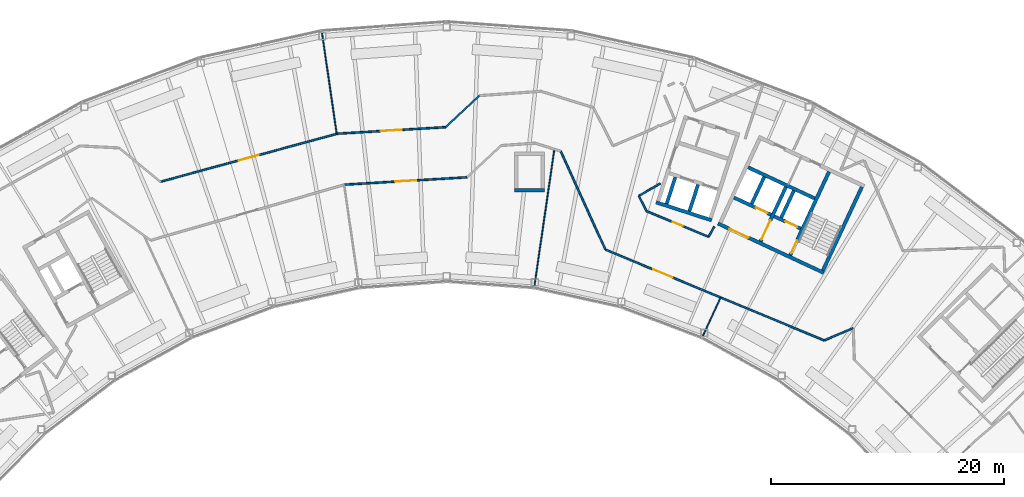
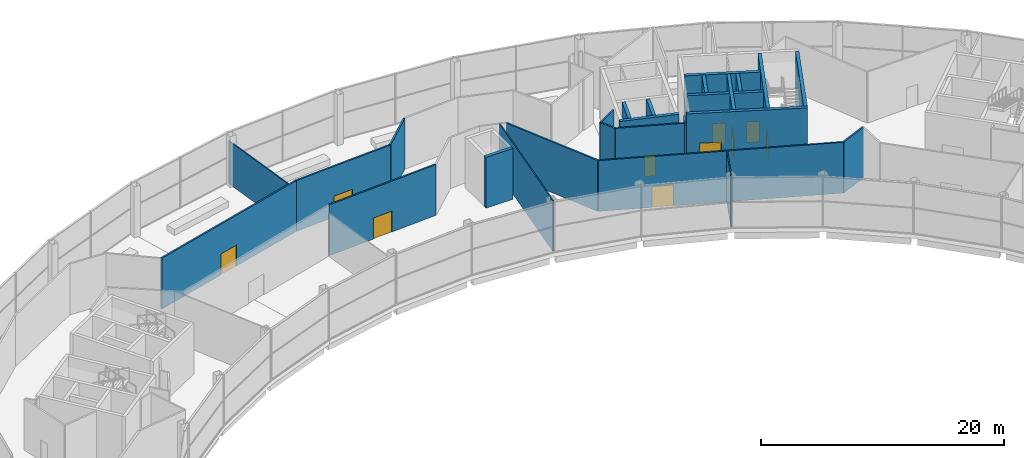
# One storey, part 37 of 43: 27 walls, 10 doors, 10 openings.
"""IFC4 building model written with IfcOpenShell, lengths in metres."""

from ifc_helpers import new_model, si_unit, direction, frame, frame_2d, origin, place, context, subcontext, project, spatial, rectangle, extrude, material, layer, layer_set, type_object, element, fill, save


model = new_model("IFC4")

# Units and contexts
model_context = context("Model", 3, precision=1e-05, world=origin(), true_north=direction((0.0, 1.0)))
body_context = subcontext(model_context, "Body", "Model", "MODEL_VIEW")
ifc_project = project(units=[si_unit("LENGTHUNIT", "METRE"), si_unit("AREAUNIT", "SQUARE_METRE"), si_unit("VOLUMEUNIT", "CUBIC_METRE"), si_unit("PLANEANGLEUNIT", "RADIAN"), si_unit("MASSUNIT", "GRAM", prefix="KILO")], contexts=[model_context])

# Site, building, storey
site_placement = place(None, origin())
site = spatial("IfcSite", under=ifc_project, at=site_placement, CompositionType="ELEMENT")
building_placement = place(site_placement, origin())
building = spatial("IfcBuilding", under=site, at=building_placement, Name="Tuul Gate Civic Tower", CompositionType="ELEMENT")
storey_placement = place(building_placement, frame((0.0, 0.0, 349.10009765625)))
storey = spatial("IfcBuildingStorey", under=building, at=storey_placement, Name="Observation level 1", CompositionType="ELEMENT", Elevation=349.10009765625)

# Wall, opening, door
ifc_material_1 = material(Name="Concrete C50/60", Category="concrete")
ifc_layer_1 = layer(ifc_material_1, 0.300048828125)
ifc_layer_set_1 = layer_set([ifc_layer_1], Name="Concrete C50/60")
wall_type_1 = type_object("IfcWallType", Name="Core wall C50/60", PredefinedType="SHEAR", material=ifc_layer_set_1)
wall_1_placement = place(storey_placement, frame((34.5283203125, -7.25, 0.0), z_axis=(0.0, 0.0, 1.0), x_axis=(-0.906310338845, 0.422612789327, 0.0)))
wall_1 = element("IfcWall", 1, at=wall_1_placement, inside=storey, type_object=wall_type_1, Name="Core wall", PredefinedType="SHEAR", context=body_context, shape_type="SweptSolid", body=[
    extrude(rectangle(XDim=9.999755859375, YDim=0.300048828125, at=frame_2d((5.0, 0.0))), origin(), (0.0, 0.0, 1.0), 5.099853515625),
])
opening_1_placement = place(wall_1_placement, frame((7.125, 0.0, 0.0)))
opening_1 = element("IfcOpeningElement", 2, at=opening_1_placement, cuts=wall_1, Name="Opening LB-E3-LOBBY-1", PredefinedType="OPENING", context=body_context, shape_type="SweptSolid", body=[
    extrude(rectangle(XDim=1.800048828125, YDim=2.10009765625, at=frame_2d((0.89990234375, 1.050048828125))), frame((0.0, 0.16015625, 0.0), z_axis=(0.0, -1.0, 0.0), x_axis=(1.0, 0.0, 0.0)), (0.0, 0.0, 1.0), 0.320068359375),
])
ifc_material_2 = material(Name="Steel", Category="steel")
door_type_1 = type_object("IfcDoorType", Name="Lobby door", OperationType="DOUBLE_DOOR_SINGLE_SWING", PredefinedType="DOOR", material=ifc_material_2)
door_1_placement = place(opening_1_placement, origin())
door_1 = element("IfcDoor", 3, at=door_1_placement, inside=storey, type_object=door_type_1, Name="Lobby door E3-LOBBY", OperationType="DOUBLE_DOOR_SINGLE_SWING", OverallHeight=2.10009765625, OverallWidth=1.800048828125, PredefinedType="DOOR", context=body_context, shape_type="SweptSolid", body=[
    extrude(rectangle(XDim=1.800048828125, YDim=2.10009765625, at=frame_2d((0.89990234375, 1.050048828125))), frame((0.0, 0.02490234375, 0.0), z_axis=(0.0, -1.0, 0.0), x_axis=(1.0, 0.0, 0.0)), (0.0, 0.0, 1.0), 0.050048828125),
])
fill(opening_1, door_1)

wall_2_placement = place(storey_placement, frame((32.545654296875, -3.456787109375, 0.0), z_axis=(0.0, 0.0, 1.0), x_axis=(-0.906300357825, 0.42263419337, 0.0)))
wall_2 = element("IfcWall", 4, at=wall_2_placement, inside=storey, type_object=wall_type_1, Name="Core wall", PredefinedType="SHEAR", context=body_context, shape_type="SweptSolid", body=[
    extrude(rectangle(XDim=2.500244140625, YDim=0.300048828125, at=frame_2d((1.25, 0.0))), origin(), (0.0, 0.0, 1.0), 5.099853515625),
])
opening_2_placement = place(wall_2_placement, frame((0.324951171875, 0.0, 0.0)))
opening_2 = element("IfcOpeningElement", 5, at=opening_2_placement, cuts=wall_2, Name="Opening LD-FF-2", PredefinedType="OPENING", context=body_context, shape_type="SweptSolid", body=[
    extrude(rectangle(XDim=1.10009765625, YDim=2.10009765625, at=frame_2d((0.550048828125, 1.050048828125))), frame((0.0, 0.16015625, 0.0), z_axis=(0.0, -1.0, 0.0), x_axis=(1.0, 0.0, 0.0)), (0.0, 0.0, 1.0), 0.320068359375),
])
ifc_material_3 = material(Name="Stainless steel", Category="steel")
door_type_2 = type_object("IfcDoorType", Name="Landing door", OperationType="DOUBLE_DOOR_SLIDING", PredefinedType="DOOR", material=ifc_material_3)
door_2_placement = place(opening_2_placement, origin())
door_2 = element("IfcDoor", 6, at=door_2_placement, inside=storey, type_object=door_type_2, Name="Fire-fighting lift FF-2 landing door", OperationType="DOUBLE_DOOR_SLIDING", OverallHeight=2.10009765625, OverallWidth=1.10009765625, PredefinedType="DOOR", context=body_context, shape_type="SweptSolid", body=[
    extrude(rectangle(XDim=1.10009765625, YDim=2.10009765625, at=frame_2d((0.550048828125, 1.050048828125))), frame((0.0, 0.02490234375, 0.0), z_axis=(0.0, -1.0, 0.0), x_axis=(1.0, 0.0, 0.0)), (0.0, 0.0, 1.0), 0.050048828125),
])
fill(opening_2, door_2)

wall_3_placement = place(storey_placement, frame((30.0078125, -2.2734375, 0.0), z_axis=(0.0, 0.0, 1.0), x_axis=(-0.90630071767, 0.422633421716, 0.0)))
wall_3 = element("IfcWall", 7, at=wall_3_placement, inside=storey, type_object=wall_type_1, Name="Core wall", PredefinedType="SHEAR", context=body_context, shape_type="SweptSolid", body=[
    extrude(rectangle(XDim=3.5, YDim=0.300048828125, at=frame_2d((1.75, 0.0))), origin(), (0.0, 0.0, 1.0), 5.099853515625),
])
opening_3_placement = place(wall_3_placement, frame((0.324951171875, 0.0, 0.0)))
opening_3 = element("IfcOpeningElement", 8, at=opening_3_placement, cuts=wall_3, Name="Opening LD-X1", PredefinedType="OPENING", context=body_context, shape_type="SweptSolid", body=[
    extrude(rectangle(XDim=1.10009765625, YDim=2.10009765625, at=frame_2d((0.550048828125, 1.050048828125))), frame((0.0, 0.16015625, 0.0), z_axis=(0.0, -1.0, 0.0), x_axis=(1.0, 0.0, 0.0)), (0.0, 0.0, 1.0), 0.320068359375),
])
door_3_placement = place(opening_3_placement, origin())
door_3 = element("IfcDoor", 9, at=door_3_placement, inside=storey, type_object=door_type_2, Name="Observation express lift X1 landing door", OperationType="DOUBLE_DOOR_SLIDING", OverallHeight=2.10009765625, OverallWidth=1.10009765625, PredefinedType="DOOR", context=body_context, shape_type="SweptSolid", body=[
    extrude(rectangle(XDim=1.10009765625, YDim=2.10009765625, at=frame_2d((0.550048828125, 1.050048828125))), frame((0.0, 0.02490234375, 0.0), z_axis=(0.0, -1.0, 0.0), x_axis=(1.0, 0.0, 0.0)), (0.0, 0.0, 1.0), 0.050048828125),
])
fill(opening_3, door_3)

# Walls
wall_4_placement = place(storey_placement, frame((33.75, -0.873779296875, 0.0), z_axis=(0.0, 0.0, 1.0), x_axis=(-0.906300917592, 0.422632992999, 0.0)))
element("IfcWall", 10, at=wall_4_placement, inside=storey, type_object=wall_type_1, Name="Core wall", PredefinedType="SHEAR", context=body_context, shape_type="SweptSolid", body=[
    extrude(rectangle(XDim=6.300048828125, YDim=0.300048828125, at=frame_2d((3.14990234375, 0.0))), origin(), (0.0, 0.0, 1.0), 5.099853515625),
])
wall_5_placement = place(storey_placement, frame((34.455810546875, -7.05078125, 0.0), z_axis=(0.0, 0.0, 1.0), x_axis=(0.422570768258, 0.906329932096, 0.0)))
element("IfcWall", 11, at=wall_5_placement, inside=storey, type_object=wall_type_1, Name="Core wall", PredefinedType="SHEAR", context=body_context, shape_type="SweptSolid", body=[
    extrude(rectangle(XDim=7.900146484375, YDim=0.300048828125, at=frame_2d((3.9501953125, 0.0))), origin(), (0.0, 0.0, 1.0), 5.099853515625),
])

# Wall, opening, door
wall_6_placement = place(storey_placement, frame((31.646240234375, -5.740478515625, 0.0), z_axis=(0.0, 0.0, 1.0), x_axis=(0.422582604137, 0.906324413596, 0.0)))
wall_6 = element("IfcWall", 12, at=wall_6_placement, inside=storey, type_object=wall_type_1, Name="Core wall", PredefinedType="SHEAR", context=body_context, shape_type="SweptSolid", body=[
    extrude(rectangle(XDim=7.89990234375, YDim=0.300048828125, at=frame_2d((3.949951171875, 0.0))), origin(), (0.0, 0.0, 1.0), 5.099853515625),
])
opening_4_placement = place(wall_6_placement, frame((0.199951171875, 0.0, 0.0)))
opening_4 = element("IfcOpeningElement", 13, at=opening_4_placement, cuts=wall_6, Name="Opening SD-ST-4", PredefinedType="OPENING", context=body_context, shape_type="SweptSolid", body=[
    extrude(rectangle(XDim=1.199951171875, YDim=2.10009765625, at=frame_2d((0.60009765625, 1.050048828125))), frame((0.0, 0.16015625, 0.0), z_axis=(0.0, -1.0, 0.0), x_axis=(1.0, 0.0, 0.0)), (0.0, 0.0, 1.0), 0.320068359375),
])
ifc_material_4 = material(Name="Steel", Category="steel")
door_type_3 = type_object("IfcDoorType", Name="Stair door", OperationType="NOTDEFINED", PredefinedType="DOOR", material=ifc_material_4)
door_4_placement = place(opening_4_placement, origin())
door_4 = element("IfcDoor", 14, at=door_4_placement, inside=storey, type_object=door_type_3, Name="Stair door ST-4", OperationType="SINGLE_SWING_LEFT", OverallHeight=2.10009765625, OverallWidth=1.199951171875, PredefinedType="DOOR", context=body_context, shape_type="SweptSolid", body=[
    extrude(rectangle(XDim=1.199951171875, YDim=2.10009765625, at=frame_2d((0.60009765625, 1.050048828125))), frame((0.0, 0.02490234375, 0.0), z_axis=(0.0, -1.0, 0.0), x_axis=(1.0, 0.0, 0.0)), (0.0, 0.0, 1.0), 0.050048828125),
])
fill(opening_4, door_4)

# Wall
wall_7_placement = place(storey_placement, frame((30.886962890625, -2.517822265625, 0.0), z_axis=(0.0, 0.0, 1.0), x_axis=(0.422612891016, 0.906310291427, 0.0)))
element("IfcWall", 15, at=wall_7_placement, inside=storey, type_object=wall_type_1, Name="Core wall", PredefinedType="SHEAR", context=body_context, shape_type="SweptSolid", body=[
    extrude(rectangle(XDim=2.550048828125, YDim=0.300048828125, at=frame_2d((1.27490234375, 0.0))), origin(), (0.0, 0.0, 1.0), 5.099853515625),
])

# Wall, opening, door
wall_8_placement = place(storey_placement, frame((29.108642578125, -4.557373046875, 0.0), z_axis=(0.0, 0.0, 1.0), x_axis=(0.422566235356, 0.90633204552, 0.0)))
wall_8 = element("IfcWall", 16, at=wall_8_placement, inside=storey, type_object=wall_type_1, Name="Core wall", PredefinedType="SHEAR", context=body_context, shape_type="SweptSolid", body=[
    extrude(rectangle(XDim=5.150146484375, YDim=0.300048828125, at=frame_2d((2.5751953125, 0.0))), origin(), (0.0, 0.0, 1.0), 5.099853515625),
])
opening_5_placement = place(wall_8_placement, frame((0.175048828125, 0.0, 0.0)))
opening_5 = element("IfcOpeningElement", 17, at=opening_5_placement, cuts=wall_8, Name="Opening LB-E3-FLOBBY-1", PredefinedType="OPENING", context=body_context, shape_type="SweptSolid", body=[
    extrude(rectangle(XDim=1.800048828125, YDim=2.10009765625, at=frame_2d((0.89990234375, 1.050048828125))), frame((0.0, 0.16015625, 0.0), z_axis=(0.0, -1.0, 0.0), x_axis=(1.0, 0.0, 0.0)), (0.0, 0.0, 1.0), 0.320068359375),
])
door_5_placement = place(opening_5_placement, frame((1.800048828125, 0.0, 0.0), z_axis=(0.0, 0.0, 1.0), x_axis=(-1.0, 0.0, 0.0)))
door_5 = element("IfcDoor", 18, at=door_5_placement, inside=storey, type_object=door_type_1, Name="Lobby door E3-FLOBBY", OperationType="DOUBLE_DOOR_SINGLE_SWING", OverallHeight=2.10009765625, OverallWidth=1.800048828125, PredefinedType="DOOR", context=body_context, shape_type="SweptSolid", body=[
    extrude(rectangle(XDim=1.800048828125, YDim=2.10009765625, at=frame_2d((0.900146484375, 1.050048828125))), frame((0.0, 0.02490234375, 0.0), z_axis=(0.0, -1.0, 0.0), x_axis=(1.0, 0.0, 0.0)), (0.0, 0.0, 1.0), 0.050048828125),
])
fill(opening_5, door_5)

# Walls
wall_9_placement = place(storey_placement, frame((28.349365234375, -1.33447265625, 0.0), z_axis=(0.0, 0.0, 1.0), x_axis=(0.422612891016, 0.906310291427, 0.0)))
element("IfcWall", 19, at=wall_9_placement, inside=storey, type_object=wall_type_1, Name="Core wall", PredefinedType="SHEAR", context=body_context, shape_type="SweptSolid", body=[
    extrude(rectangle(XDim=2.550048828125, YDim=0.300048828125, at=frame_2d((1.27490234375, 0.0))), origin(), (0.0, 0.0, 1.0), 5.099853515625),
])
wall_10_placement = place(storey_placement, frame((10.60009765625, -0.14990234375, 0.0), z_axis=(0.0, 0.0, 1.0), x_axis=(-1.0, 0.0, 0.0)))
element("IfcWall", 20, at=wall_10_placement, inside=storey, type_object=wall_type_1, Name="Core wall", PredefinedType="SHEAR", context=body_context, shape_type="SweptSolid", body=[
    extrude(rectangle(XDim=2.60009765625, YDim=0.300048828125, at=frame_2d((1.300048828125, 0.0))), origin(), (0.0, 0.0, 1.0), 5.099853515625),
])
ifc_material_5 = material(Name="Gypsum board partition")
ifc_layer_2 = layer(ifc_material_5, 0.14990234375)
ifc_layer_set_2 = layer_set([ifc_layer_2], Name="Gypsum board partition")
wall_type_2 = type_object("IfcWallType", Name="Corridor wall P150", PredefinedType="PARTITIONING", material=ifc_layer_set_2)
wall_11_placement = place(storey_placement, frame((24.6591796875, -4.153076171875, 0.0), z_axis=(0.0, 0.0, 1.0), x_axis=(0.485916272135, 0.8740053641, 0.0)))
element("IfcWall", 21, at=wall_11_placement, inside=storey, type_object=wall_type_2, Name="p014", PredefinedType="PARTITIONING", context=body_context, shape_type="SweptSolid", body=[
    extrude(rectangle(XDim=0.98583984375, YDim=0.14990234375, at=frame_2d((0.492919921875, 0.0))), origin(), (0.0, 0.0, 1.0), 5.099853515625),
])

# Wall, opening, door
wall_12_placement = place(storey_placement, frame((19.3486328125, -1.96875, 0.0), z_axis=(0.0, 0.0, 1.0), x_axis=(0.92360876638, -0.383336466652, 0.0)))
wall_12 = element("IfcWall", 22, at=wall_12_placement, inside=storey, type_object=wall_type_2, Name="p015", PredefinedType="PARTITIONING", context=body_context, shape_type="SweptSolid", body=[
    extrude(rectangle(XDim=5.7216796875, YDim=0.14990234375, at=frame_2d((2.86083984375, 0.0))), origin(), (0.0, 0.0, 1.0), 5.099853515625),
])
opening_6_placement = place(wall_12_placement, frame((2.410888671875, 0.0, 0.0)))
opening_6 = element("IfcOpeningElement", 23, at=opening_6_placement, cuts=wall_12, Name="Opening AD-D03", PredefinedType="OPENING", context=body_context, shape_type="SweptSolid", body=[
    extrude(rectangle(XDim=0.89990234375, YDim=2.10009765625, at=frame_2d((0.449951171875, 1.050048828125))), frame((0.0, 0.0849609375, 0.0), z_axis=(0.0, -1.0, 0.0), x_axis=(1.0, 0.0, 0.0)), (0.0, 0.0, 1.0), 0.169921875),
])
ifc_material_6 = material(Name="Timber door leaf", Category="wood")
door_type_4 = type_object("IfcDoorType", Name="Door D09", OperationType="NOTDEFINED", PredefinedType="DOOR", material=ifc_material_6)
door_6_placement = place(opening_6_placement, origin())
door_6 = element("IfcDoor", 24, at=door_6_placement, inside=storey, type_object=door_type_4, Name="Door AD-D03", OperationType="SINGLE_SWING_RIGHT", OverallHeight=2.10009765625, OverallWidth=0.89990234375, PredefinedType="DOOR", context=body_context, shape_type="SweptSolid", body=[
    extrude(rectangle(XDim=0.89990234375, YDim=2.10009765625, at=frame_2d((0.449951171875, 1.050048828125))), frame((0.0, 0.02490234375, 0.0), z_axis=(0.0, -1.0, 0.0), x_axis=(1.0, 0.0, 0.0)), (0.0, 0.0, 1.0), 0.050048828125),
])
fill(opening_6, door_6)

# Walls
wall_13_placement = place(storey_placement, frame((18.674072265625, -0.66748046875, 0.0), z_axis=(0.0, 0.0, 1.0), x_axis=(0.457139061513, -0.889395231851, 0.0)))
element("IfcWall", 25, at=wall_13_placement, inside=storey, type_object=wall_type_2, Name="p017", PredefinedType="PARTITIONING", context=body_context, shape_type="SweptSolid", body=[
    extrude(rectangle(XDim=1.4521484375, YDim=0.14990234375, at=frame_2d((0.72607421875, 0.0))), origin(), (0.0, 0.0, 1.0), 5.099853515625),
])
wall_14_placement = place(storey_placement, frame((18.68212890625, -0.640380859375, 0.0), z_axis=(0.0, 0.0, 1.0), x_axis=(0.870066841163, 0.492933760164, 0.0)))
element("IfcWall", 26, at=wall_14_placement, inside=storey, type_object=wall_type_2, Name="p018", PredefinedType="PARTITIONING", context=body_context, shape_type="SweptSolid", body=[
    extrude(rectangle(XDim=2.1103515625, YDim=0.14990234375, at=frame_2d((1.05517578125, 0.0))), origin(), (0.0, 0.0, 1.0), 5.099853515625),
])
wall_15_placement = place(storey_placement, frame((2.102294921875, 5.24365234375, 0.0), z_axis=(0.0, 0.0, 1.0), x_axis=(0.731577905829, 0.681757851222, 0.0)))
element("IfcWall", 27, at=wall_15_placement, inside=storey, type_object=wall_type_2, Name="p032", PredefinedType="PARTITIONING", context=body_context, shape_type="SweptSolid", body=[
    extrude(rectangle(XDim=3.95947265625, YDim=0.14990234375, at=frame_2d((1.979736328125, 0.0))), origin(), (0.0, 0.0, 1.0), 5.099853515625),
])

# Wall, opening, door
wall_16_placement = place(storey_placement, frame((-7.17919921875, 4.6787109375, 0.0), z_axis=(0.0, 0.0, 1.0), x_axis=(0.99818366354, 0.060244284728, 0.0)))
wall_16 = element("IfcWall", 28, at=wall_16_placement, inside=storey, type_object=wall_type_2, Name="p033", PredefinedType="PARTITIONING", context=body_context, shape_type="SweptSolid", body=[
    extrude(rectangle(XDim=9.288330078125, YDim=0.14990234375, at=frame_2d((4.64404296875, 0.0))), origin(), (0.0, 0.0, 1.0), 5.099853515625),
])
opening_7_placement = place(wall_16_placement, frame((3.744140625, 0.0, 0.0)))
opening_7 = element("IfcOpeningElement", 29, at=opening_7_placement, cuts=wall_16, Name="Opening AD-D04", PredefinedType="OPENING", context=body_context, shape_type="SweptSolid", body=[
    extrude(rectangle(XDim=1.800048828125, YDim=2.10009765625, at=frame_2d((0.89990234375, 1.050048828125))), frame((0.0, 0.0849609375, 0.0), z_axis=(0.0, -1.0, 0.0), x_axis=(1.0, 0.0, 0.0)), (0.0, 0.0, 1.0), 0.169921875),
])
ifc_material_7 = material(Name="Timber door leaf, double", Category="wood")
door_type_5 = type_object("IfcDoorType", Name="Door D18", OperationType="DOUBLE_DOOR_SINGLE_SWING", PredefinedType="DOOR", material=ifc_material_7)
door_7_placement = place(opening_7_placement, origin())
door_7 = element("IfcDoor", 30, at=door_7_placement, inside=storey, type_object=door_type_5, Name="Door AD-D04", OperationType="DOUBLE_DOOR_SINGLE_SWING", OverallHeight=2.10009765625, OverallWidth=1.800048828125, PredefinedType="DOOR", context=body_context, shape_type="SweptSolid", body=[
    extrude(rectangle(XDim=1.800048828125, YDim=2.10009765625, at=frame_2d((0.89990234375, 1.050048828125))), frame((0.0, 0.02490234375, 0.0), z_axis=(0.0, -1.0, 0.0), x_axis=(1.0, 0.0, 0.0)), (0.0, 0.0, 1.0), 0.050048828125),
])
fill(opening_7, door_7)

wall_17_placement = place(storey_placement, frame((-22.3203125, 0.56787109375, 0.0), z_axis=(0.0, 0.0, 1.0), x_axis=(0.965063401277, 0.262016471842, 0.0)))
wall_17 = element("IfcWall", 31, at=wall_17_placement, inside=storey, type_object=wall_type_2, Name="p034", PredefinedType="PARTITIONING", context=body_context, shape_type="SweptSolid", body=[
    extrude(rectangle(XDim=15.689208984375, YDim=0.14990234375, at=frame_2d((7.8447265625, 0.0))), origin(), (0.0, 0.0, 1.0), 5.099853515625),
])
opening_8_placement = place(wall_17_placement, frame((6.91552734375, 0.0, 0.0)))
opening_8 = element("IfcOpeningElement", 32, at=opening_8_placement, cuts=wall_17, Name="Opening AD-D05", PredefinedType="OPENING", context=body_context, shape_type="SweptSolid", body=[
    extrude(rectangle(XDim=1.800048828125, YDim=2.10009765625, at=frame_2d((0.89990234375, 1.050048828125))), frame((0.0, 0.0849609375, 0.0), z_axis=(0.0, -1.0, 0.0), x_axis=(1.0, 0.0, 0.0)), (0.0, 0.0, 1.0), 0.169921875),
])
door_8_placement = place(opening_8_placement, origin())
door_8 = element("IfcDoor", 33, at=door_8_placement, inside=storey, type_object=door_type_5, Name="Door AD-D05", OperationType="DOUBLE_DOOR_SINGLE_SWING", OverallHeight=2.10009765625, OverallWidth=1.800048828125, PredefinedType="DOOR", context=body_context, shape_type="SweptSolid", body=[
    extrude(rectangle(XDim=1.800048828125, YDim=2.10009765625, at=frame_2d((0.89990234375, 1.050048828125))), frame((0.0, 0.02490234375, 0.0), z_axis=(0.0, -1.0, 0.0), x_axis=(1.0, 0.0, 0.0)), (0.0, 0.0, 1.0), 0.050048828125),
])
fill(opening_8, door_8)

wall_18_placement = place(storey_placement, frame((15.80419921875, -5.26171875, 0.0), z_axis=(0.0, 0.0, 1.0), x_axis=(0.923614302161, -0.383323128501, 0.0)))
wall_18 = element("IfcWall", 34, at=wall_18_placement, inside=storey, type_object=wall_type_2, Name="p052", PredefinedType="PARTITIONING", context=body_context, shape_type="SweptSolid", body=[
    extrude(rectangle(XDim=20.31591796875, YDim=0.14990234375, at=frame_2d((10.157958984375, 0.0))), origin(), (0.0, 0.0, 1.0), 5.099853515625),
])
opening_9_placement = place(wall_18_placement, frame((4.448486328125, 0.0, 0.0)))
opening_9 = element("IfcOpeningElement", 35, at=opening_9_placement, cuts=wall_18, Name="Opening AD-D08", PredefinedType="OPENING", context=body_context, shape_type="SweptSolid", body=[
    extrude(rectangle(XDim=1.800048828125, YDim=2.10009765625, at=frame_2d((0.89990234375, 1.050048828125))), frame((0.0, 0.0849609375, 0.0), z_axis=(0.0, -1.0, 0.0), x_axis=(1.0, 0.0, 0.0)), (0.0, 0.0, 1.0), 0.169921875),
])
door_9_placement = place(opening_9_placement, frame((1.800048828125, 0.0, 0.0), z_axis=(0.0, 0.0, 1.0), x_axis=(-1.0, 0.0, 0.0)))
door_9 = element("IfcDoor", 36, at=door_9_placement, inside=storey, type_object=door_type_5, Name="Door AD-D08", OperationType="DOUBLE_DOOR_SINGLE_SWING", OverallHeight=2.10009765625, OverallWidth=1.800048828125, PredefinedType="DOOR", context=body_context, shape_type="SweptSolid", body=[
    extrude(rectangle(XDim=1.800048828125, YDim=2.10009765625, at=frame_2d((0.900146484375, 1.050048828125))), frame((0.0, 0.02490234375, 0.0), z_axis=(0.0, -1.0, 0.0), x_axis=(1.0, 0.0, 0.0)), (0.0, 0.0, 1.0), 0.050048828125),
])
fill(opening_9, door_9)

# Walls
wall_19_placement = place(storey_placement, frame((34.569580078125, -13.04931640625, 0.0), z_axis=(0.0, 0.0, 1.0), x_axis=(0.919433064699, 0.393246537858, 0.0)))
element("IfcWall", 37, at=wall_19_placement, inside=storey, type_object=wall_type_2, Name="p053", PredefinedType="PARTITIONING", context=body_context, shape_type="SweptSolid", body=[
    extrude(rectangle(XDim=2.672119140625, YDim=0.14990234375, at=frame_2d((1.3359375, 0.0))), origin(), (0.0, 0.0, 1.0), 5.099853515625),
])
wall_20_placement = place(storey_placement, frame((11.974365234375, 3.17236328125, 0.0), z_axis=(0.0, 0.0, 1.0), x_axis=(0.413389795731, -0.910554159172, 0.0)))
element("IfcWall", 38, at=wall_20_placement, inside=storey, type_object=wall_type_2, Name="p059", PredefinedType="PARTITIONING", context=body_context, shape_type="SweptSolid", body=[
    extrude(rectangle(XDim=9.261474609375, YDim=0.14990234375, at=frame_2d((4.630859375, 0.0))), origin(), (0.0, 0.0, 1.0), 5.099853515625),
])

# Wall, opening, door
wall_21_placement = place(storey_placement, frame((-6.562744140625, 0.307861328125, 0.0), z_axis=(0.0, 0.0, 1.0), x_axis=(0.99818523078, 0.060218311609, 0.0)))
wall_21 = element("IfcWall", 39, at=wall_21_placement, inside=storey, type_object=wall_type_2, Name="p061", PredefinedType="PARTITIONING", context=body_context, shape_type="SweptSolid", body=[
    extrude(rectangle(XDim=10.520751953125, YDim=0.14990234375, at=frame_2d((5.26025390625, 0.0))), origin(), (0.0, 0.0, 1.0), 5.099853515625),
])
opening_10_placement = place(wall_21_placement, frame((4.360595703125, 0.0, 0.0)))
opening_10 = element("IfcOpeningElement", 40, at=opening_10_placement, cuts=wall_21, Name="Opening AD-D09", PredefinedType="OPENING", context=body_context, shape_type="SweptSolid", body=[
    extrude(rectangle(XDim=1.800048828125, YDim=2.10009765625, at=frame_2d((0.89990234375, 1.050048828125))), frame((0.0, 0.0849609375, 0.0), z_axis=(0.0, -1.0, 0.0), x_axis=(1.0, 0.0, 0.0)), (0.0, 0.0, 1.0), 0.169921875),
])
door_10_placement = place(opening_10_placement, frame((1.800048828125, 0.0, 0.0), z_axis=(0.0, 0.0, 1.0), x_axis=(-1.0, 0.0, 0.0)))
door_10 = element("IfcDoor", 41, at=door_10_placement, inside=storey, type_object=door_type_5, Name="Door AD-D09", OperationType="DOUBLE_DOOR_SINGLE_SWING", OverallHeight=2.10009765625, OverallWidth=1.800048828125, PredefinedType="DOOR", context=body_context, shape_type="SweptSolid", body=[
    extrude(rectangle(XDim=1.800048828125, YDim=2.10009765625, at=frame_2d((0.900146484375, 1.050048828125))), frame((0.0, 0.02490234375, 0.0), z_axis=(0.0, -1.0, 0.0), x_axis=(1.0, 0.0, 0.0)), (0.0, 0.0, 1.0), 0.050048828125),
])
fill(opening_10, door_10)

# Walls
ifc_material_8 = material(Name="Concrete C40/50", Category="concrete")
ifc_layer_3 = layer(ifc_material_8, 0.300048828125)
ifc_layer_set_3 = layer_set([ifc_layer_3], Name="Concrete C40/50")
wall_type_3 = type_object("IfcWallType", Name="Lift shaft wall C40/50", PredefinedType="STANDARD", material=ifc_layer_set_3)
wall_22_placement = place(storey_placement, frame((24.911376953125, -2.746337890625, 0.0), z_axis=(0.0, 0.0, 1.0), x_axis=(-0.951067792613, 0.308982287281, 0.0)))
element("IfcWall", 42, at=wall_22_placement, inside=storey, type_object=wall_type_3, Name="Shaft wall", PredefinedType="STANDARD", context=body_context, shape_type="SweptSolid", body=[
    extrude(rectangle(XDim=5.0, YDim=0.300048828125, at=frame_2d((2.5, 0.0))), origin(), (0.0, 0.0, 1.0), 5.099853515625),
])
for number, where, z_axis, x_axis, name in (
    (43, (23.008056640625, -1.97021484375, 0.0), (0.0, 0.0, 1.0), (0.309138975195, 0.951016873675, 0.0), "Shaft wall"),
    (44, (21.058349609375, -1.336669921875, 0.0), (0.0, 0.0, 1.0), (0.309138975195, 0.951016873675, 0.0), "Shaft wall"),
):
    element("IfcWall", number, at=place(storey_placement, frame(where, z_axis=z_axis, x_axis=x_axis)), inside=storey, type_object=wall_type_3, Name=name, PredefinedType="STANDARD", context=body_context, shape_type="SweptSolid", body=[
        extrude(rectangle(XDim=2.400146484375, YDim=0.300048828125, at=frame_2d((1.2001953125, 0.0))), origin(), (0.0, 0.0, 1.0), 5.099853515625),
    ])
ifc_material_9 = material(Name="Gypsum board partition")
ifc_layer_4 = layer(ifc_material_9, 0.10009765625)
ifc_layer_set_4 = layer_set([ifc_layer_4], Name="Gypsum board partition")
wall_type_4 = type_object("IfcWallType", Name="Partition P100", PredefinedType="PARTITIONING", material=ifc_layer_set_4)
wall_23_placement = place(storey_placement, frame((24.1396484375, -12.69580078125, 0.0), z_axis=(0.0, 0.0, 1.0), x_axis=(0.420355609399, 0.907359444568, 0.0)))
element("IfcWall", 45, at=wall_23_placement, inside=storey, type_object=wall_type_4, Name="p049", PredefinedType="PARTITIONING", context=body_context, shape_type="SweptSolid", body=[
    extrude(rectangle(XDim=3.674072265625, YDim=0.10009765625, at=frame_2d((1.8369140625, 0.0))), origin(), (0.0, 0.0, 1.0), 5.099853515625),
])
wall_24_placement = place(storey_placement, frame((9.71630859375, -8.40380859375, 0.0), z_axis=(0.0, 0.0, 1.0), x_axis=(0.144111490568, 0.989561457559, 0.0)))
element("IfcWall", 46, at=wall_24_placement, inside=storey, type_object=wall_type_4, Name="p057", PredefinedType="PARTITIONING", context=body_context, shape_type="SweptSolid", body=[
    extrude(rectangle(XDim=11.87744140625, YDim=0.10009765625, at=frame_2d((5.938720703125, 0.0))), origin(), (0.0, 0.0, 1.0), 5.099853515625),
])
ifc_material_10 = material(Name="Gypsum board partition")
ifc_layer_5 = layer(ifc_material_10, 0.10009765625)
ifc_layer_set_5 = layer_set([ifc_layer_5], Name="Gypsum board partition")
wall_type_5 = type_object("IfcWallType", Name="Partition P100 4300 HIGH", PredefinedType="PARTITIONING", material=ifc_layer_set_5)
wall_25_placement = place(storey_placement, frame((-8.504638671875, 13.3837890625, 0.0), z_axis=(0.0, 0.0, 1.0), x_axis=(0.144066127075, -0.989568062859, 0.0)))
element("IfcWall", 47, at=wall_25_placement, inside=storey, type_object=wall_type_5, Name="p020", PredefinedType="PARTITIONING", context=body_context, shape_type="SweptSolid", body=[
    extrude(rectangle(XDim=8.812255859375, YDim=0.10009765625, at=frame_2d((4.40625, 0.0))), origin(), (0.0, 0.0, 1.0), 4.2998046875),
])

save(model, "model.ifc")
